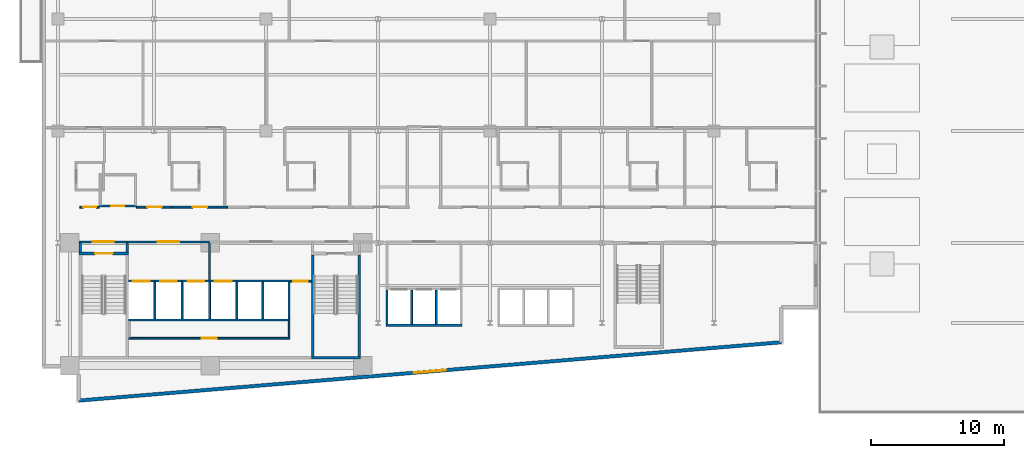
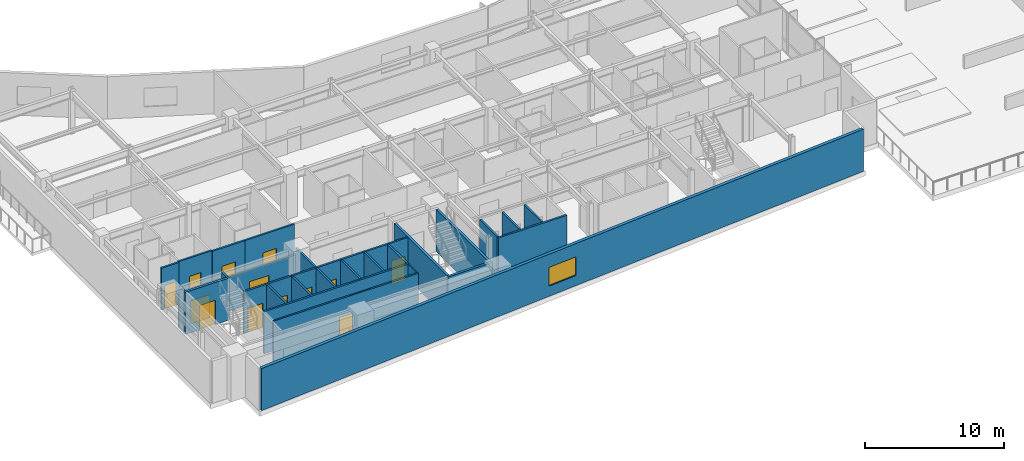
# One storey, part 10 of 20: 34 walls, 13 doors, 1 window, 14 openings.
"""IFC4 building model written with IfcOpenShell, lengths in metres."""

import ifcopenshell
import ifcopenshell.guid

model = None  # the IFC model being written
_history = None  # IfcOwnerHistory: only IFC2X3 demands one
_inside = {}  # id of a spatial element -> (the spatial element, [elements in it])
_under = {}  # id of a project, library or spatial element -> (it, [spatial elements below it])
_declared = {}  # id of a project -> (the project, [libraries it declares])
_typed = {}  # id of a type object -> (the type object, [elements of that type])
_made_of = {}  # id of a material, layer set ... -> (it, [elements and type objects made of it])


def new_model(schema):
    """Start an empty IFC model of exactly this schema.

    Asked for "IFC4X3", IfcOpenShell would pick the latest addendum, in which some entities
    have other attributes; the version numbers below select the first issue.
    IFC2X3 requires an IfcOwnerHistory on every rooted entity: one is made here for all.
    """
    global model, _history
    if schema == "IFC4X3":
        model = ifcopenshell.file(schema_version=(4, 3, 0, 0))
    else:
        model = ifcopenshell.file(schema=schema)
    _inside.clear()
    _under.clear()
    _declared.clear()
    _typed.clear()
    _made_of.clear()
    _history = None
    if model.schema == "IFC2X3":
        org = make("IfcOrganization", Name="unknown")
        user = make(
            "IfcPersonAndOrganization",
            ThePerson=make("IfcPerson", FamilyName="unknown"),
            TheOrganization=org,
        )
        app = make(
            "IfcApplication",
            ApplicationDeveloper=org,
            Version="unknown",
            ApplicationFullName="unknown",
            ApplicationIdentifier="unknown",
        )
        _history = make(
            "IfcOwnerHistory",
            OwningUser=user,
            OwningApplication=app,
            ChangeAction="ADDED",
            CreationDate=0,
        )
    return model


def make(cls, **values):
    """One entity of the class cls with the attributes given. An attribute that is None is left unset."""
    return model.create_entity(
        cls, **{name: value for name, value in values.items() if value is not None}
    )


def rooted(cls, **values):
    """An entity with a GlobalId (a new one), such as an element, a storey or a relation."""
    return make(cls, GlobalId=ifcopenshell.guid.new(), OwnerHistory=_history, **values)


def si_unit(unit_type, name, prefix=None):
    """IfcSIUnit, for example si_unit("LENGTHUNIT", "METRE", prefix="MILLI")."""
    return make("IfcSIUnit", UnitType=unit_type, Prefix=prefix, Name=name)


def assignment(units):
    """IfcUnitAssignment: the units of a project."""
    return None if units is None else make("IfcUnitAssignment", Units=units)


def point(xyz):
    """IfcCartesianPoint."""
    return None if xyz is None else make("IfcCartesianPoint", Coordinates=xyz)


def direction(xyz):
    """IfcDirection."""
    return None if xyz is None else make("IfcDirection", DirectionRatios=xyz)


def frame(location, z_axis=None, x_axis=None):
    """IfcAxis2Placement3D, a coordinate frame: its origin and axes. An axis left out is left unset."""
    return make(
        "IfcAxis2Placement3D",
        Location=point(location),
        Axis=direction(z_axis),
        RefDirection=direction(x_axis),
    )


def frame_2d(location, x_axis=None):
    """IfcAxis2Placement2D, a coordinate frame in the plane: its origin and x axis."""
    return make(
        "IfcAxis2Placement2D", Location=point(location), RefDirection=direction(x_axis)
    )


def origin():
    """The frame at (0, 0, 0) with its axes left unset."""
    return frame((0.0, 0.0, 0.0))


def place(relative_to, where):
    """IfcLocalPlacement: puts the frame where relative to a parent placement (None: the world)."""
    return make(
        "IfcLocalPlacement", PlacementRelTo=relative_to, RelativePlacement=where
    )


def context(
    kind, dimensions, precision=None, world=None, true_north=None, identifier=None
):
    """IfcGeometricRepresentationContext, for example the 3D "Model" context."""
    return make(
        "IfcGeometricRepresentationContext",
        ContextIdentifier=identifier,
        ContextType=kind,
        CoordinateSpaceDimension=dimensions,
        Precision=precision,
        WorldCoordinateSystem=world,
        TrueNorth=true_north,
    )


def subcontext(parent, identifier, kind, view, scale=None):
    """IfcGeometricRepresentationSubContext, for example "Body" below "Model"."""
    return make(
        "IfcGeometricRepresentationSubContext",
        ContextIdentifier=identifier,
        ContextType=kind,
        ParentContext=parent,
        TargetScale=scale,
        TargetView=view,
    )


def project(units=None, contexts=None):
    """IfcProject with its units and contexts."""
    return rooted(
        "IfcProject",
        Name="project",
        RepresentationContexts=contexts,
        UnitsInContext=assignment(units),
    )


def spatial(cls, under=None, at=None, **own):
    """A site, building, storey or space (cls), placed at a placement, below another one or the project."""
    s = rooted(cls, ObjectPlacement=at, **own)
    if under is not None:
        _under.setdefault(under.id(), (under, []))[1].append(s)
    return s


def profile(cls, at=None, kind="AREA", **sizes):
    """A parametric profile (cls). Its sizes go by their IFC names, for example OverallWidth=200.0."""
    return make(cls, ProfileType=kind, Position=at, **sizes)


def rectangle(**sizes):
    """IfcRectangleProfileDef."""
    return profile("IfcRectangleProfileDef", **sizes)


def extrude(swept, where, along, depth):
    """IfcExtrudedAreaSolid: the profile swept, set in the frame where, extruded along a direction by depth."""
    return make(
        "IfcExtrudedAreaSolid",
        SweptArea=swept,
        Position=where,
        ExtrudedDirection=direction(along),
        Depth=depth,
    )


def shape(context_of_items, identifier, shape_type, items):
    """IfcShapeRepresentation: the items that make up one representation, for example the "Body"."""
    return make(
        "IfcShapeRepresentation",
        ContextOfItems=context_of_items,
        RepresentationIdentifier=identifier,
        RepresentationType=shape_type,
        Items=items,
    )


def material(Name=None, Category=None):
    """IfcMaterial."""
    return make("IfcMaterial", Name=Name, Category=Category)


def layer(
    of_material, thickness, ventilated=None, Name=None, Category=None, Priority=None
):
    """IfcMaterialLayer: one layer of a wall or slab, of a material (None: an air gap)."""
    return make(
        "IfcMaterialLayer",
        Material=of_material,
        LayerThickness=thickness,
        IsVentilated=ventilated,
        Name=Name,
        Category=Category,
        Priority=Priority,
    )


def layer_set(layers, Name=None):
    """IfcMaterialLayerSet."""
    return make("IfcMaterialLayerSet", MaterialLayers=layers, LayerSetName=Name)


def made_of(thing, what):
    """Note that an element or type object is made of a material, layer set ...; save() writes the relation."""
    if what is not None:
        _made_of.setdefault(what.id(), (what, []))[1].append(thing)
    return thing


def type_object(cls, material=None, **own):
    """A type object (cls), such as IfcWallType, which elements share."""
    return made_of(rooted(cls, **own), material)


def element(
    cls,
    number,
    at=None,
    inside=None,
    cuts=None,
    type_object=None,
    material=None,
    context=None,
    identifier="Body",
    shape_type=None,
    held_by="IfcProductDefinitionShape",
    body=None,
    shapes=None,
    **own,
):
    """One element of the class cls, such as IfcWall. Its Tag is "e" and its number.

    at: its placement. inside: the storey or other place that contains it. cuts: it is an
    opening in that element (IfcRelVoidsElement). A single representation is given by context,
    identifier, shape_type and body (its items); several are given by shapes. held_by: the class
    of the entity that holds the representations. save() writes the other relations.
    """
    e = rooted(cls, Tag="e%d" % number, ObjectPlacement=at, **own)
    if body is not None:
        shapes = [shape(context, identifier, shape_type, body)]
    if shapes is not None:
        e.Representation = make(held_by, Representations=shapes)
    if inside is not None:
        _inside.setdefault(inside.id(), (inside, []))[1].append(e)
    if cuts is not None:
        rooted(
            "IfcRelVoidsElement", RelatingBuildingElement=cuts, RelatedOpeningElement=e
        )
    if type_object is not None:
        _typed.setdefault(type_object.id(), (type_object, []))[1].append(e)
    return made_of(e, material)


def fill(opening, filler):
    """IfcRelFillsElement: the door or window that sits in an opening."""
    return rooted(
        "IfcRelFillsElement",
        RelatingOpeningElement=opening,
        RelatedBuildingElement=filler,
    )


def aggregate(whole, parts):
    """IfcRelAggregates: a whole, such as a stair, and the parts it consists of."""
    return rooted("IfcRelAggregates", RelatingObject=whole, RelatedObjects=parts)


def save(model, path):
    """Write the relations noted so far, then the file.

    IfcRelAggregates (storeys below a building ...), IfcRelContainedInSpatialStructure (elements
    in a storey), IfcRelDefinesByType, IfcRelAssociatesMaterial and IfcRelDeclares: one each for
    every whole, place, type object, material and project.
    """
    for whole, parts in _under.values():
        aggregate(whole, parts)
    for where, things in _inside.values():
        rooted(
            "IfcRelContainedInSpatialStructure",
            RelatedElements=things,
            RelatingStructure=where,
        )
    for kind, things in _typed.values():
        rooted("IfcRelDefinesByType", RelatedObjects=things, RelatingType=kind)
    for what, things in _made_of.values():
        rooted("IfcRelAssociatesMaterial", RelatedObjects=things, RelatingMaterial=what)
    for by, libraries in _declared.values():
        rooted("IfcRelDeclares", RelatingContext=by, RelatedDefinitions=libraries)
    model.write(path)


model = new_model("IFC4")

# Units and contexts
model_context = context("Model", 3, precision=1e-05, world=origin(), true_north=direction((0.0, 1.0)))
body_context = subcontext(model_context, "Body", "Model", "MODEL_VIEW")
ifc_project = project(units=[si_unit("LENGTHUNIT", "METRE"), si_unit("AREAUNIT", "SQUARE_METRE"), si_unit("VOLUMEUNIT", "CUBIC_METRE"), si_unit("PLANEANGLEUNIT", "RADIAN"), si_unit("MASSUNIT", "GRAM", prefix="KILO")], contexts=[model_context])

# Site, building, storey
site_placement = place(None, origin())
site = spatial("IfcSite", under=ifc_project, at=site_placement, CompositionType="ELEMENT")
building_placement = place(site_placement, origin())
building = spatial("IfcBuilding", under=site, at=building_placement, Name="Varnakote Quay Hospital", CompositionType="ELEMENT")
storey_placement = place(building_placement, frame((0.0, 0.0, 22.5)))
storey = spatial("IfcBuildingStorey", under=building, at=storey_placement, Name="L05", CompositionType="ELEMENT", Elevation=22.5)

# Wall
ifc_material_1 = material(Name="Fire-rated acoustic gypsum stud wall", Category="gypsum")
ifc_layer_1 = layer(ifc_material_1, 0.159912109375)
ifc_layer_set_1 = layer_set([ifc_layer_1], Name="Fire-rated acoustic gypsum stud wall")
wall_type_1 = type_object("IfcWallType", Name="WL-COMP-160", PredefinedType="PARTITIONING", material=ifc_layer_set_1)
wall_1_placement = place(storey_placement, frame((2.8798828125, 11.300048828125, 0.0), z_axis=(0.0, 0.0, 1.0), x_axis=(0.0, 1.0, 0.0)))
element("IfcWall", 1, at=wall_1_placement, inside=storey, type_object=wall_type_1, Name="L05 West Stair Vestibule West Wall", PredefinedType="PARTITIONING", context=body_context, shape_type="SweptSolid", body=[
    extrude(rectangle(XDim=0.699951171875, YDim=0.159912109375, at=frame_2d((0.35009765625, 0.0))), origin(), (0.0, 0.0, 1.0), 3.7099609375),
])

# Wall, opening, door
wall_2_placement = place(storey_placement, frame((2.800048828125, 12.080078125, 0.0), z_axis=(0.0, 0.0, 1.0), x_axis=(1.0, 0.0, 0.0)))
wall_2 = element("IfcWall", 2, at=wall_2_placement, inside=storey, type_object=wall_type_1, Name="L05 West Stair Vestibule Smoke Wall", PredefinedType="PARTITIONING", context=body_context, shape_type="SweptSolid", body=[
    extrude(rectangle(XDim=3.599853515625, YDim=0.159912109375, at=frame_2d((1.7998046875, 0.0))), origin(), (0.0, 0.0, 1.0), 3.072998046875),
])
opening_1_placement = place(wall_2_placement, frame((1.0, 0.0, 0.0)))
opening_1 = element("IfcOpeningElement", 3, at=opening_1_placement, cuts=wall_2, Name="Opening D-ST1L-L05", PredefinedType="OPENING", context=body_context, shape_type="SweptSolid", body=[
    extrude(rectangle(XDim=1.60009765625, YDim=2.050048828125, at=frame_2d((0.800048828125, 1.02490234375))), frame((0.0, 0.08984375, 0.0), z_axis=(0.0, -1.0, 0.0), x_axis=(1.0, 0.0, 0.0)), (0.0, 0.0, 1.0), 0.179931640625),
])
ifc_material_2 = material(Name="Fire-rated double smoke lobby door")
door_type_1 = type_object("IfcDoorType", Name="DR-LOBBY-FD60S-1600x2150", OperationType="NOTDEFINED", PredefinedType="DOOR", material=ifc_material_2)
door_1_placement = place(opening_1_placement, origin())
door_1 = element("IfcDoor", 4, at=door_1_placement, inside=storey, type_object=door_type_1, Name="L05 West Stair Vestibule Smoke Door", OperationType="DOUBLE_DOOR_SINGLE_SWING", OverallHeight=2.050048828125, OverallWidth=1.60009765625, PredefinedType="DOOR", context=body_context, shape_type="SweptSolid", body=[
    extrude(rectangle(XDim=1.60009765625, YDim=2.050048828125, at=frame_2d((0.800048828125, 1.02490234375))), frame((0.0, 0.02490234375, 0.0), z_axis=(0.0, -1.0, 0.0), x_axis=(1.0, 0.0, 0.0)), (0.0, 0.0, 1.0), 0.050048828125),
])
fill(opening_1, door_1)

# Wall
wall_3_placement = place(storey_placement, frame((6.39990234375, 11.300048828125, 0.0), z_axis=(0.0, 0.0, 1.0), x_axis=(0.0, 1.0, 0.0)))
element("IfcWall", 5, at=wall_3_placement, inside=storey, type_object=wall_type_1, Name="L05 Firefighting Lobby West Wall", PredefinedType="PARTITIONING", context=body_context, shape_type="SweptSolid", body=[
    extrude(rectangle(XDim=0.699951171875, YDim=0.159912109375, at=frame_2d((0.35009765625, 0.0))), origin(), (0.0, 0.0, 1.0), 3.7099609375),
])

# Wall, opening, door
wall_4_placement = place(storey_placement, frame((6.39990234375, 12.080078125, 0.0), z_axis=(0.0, 0.0, 1.0), x_axis=(1.0, 0.0, 0.0)))
wall_4 = element("IfcWall", 6, at=wall_4_placement, inside=storey, type_object=wall_type_1, Name="L05 Firefighting Lift Lobby Compartment Wall", PredefinedType="PARTITIONING", context=body_context, shape_type="SweptSolid", body=[
    extrude(rectangle(XDim=6.18017578125, YDim=0.159912109375, at=frame_2d((3.090087890625, 0.0))), origin(), (0.0, 0.0, 1.0), 3.072998046875),
])
opening_2_placement = place(wall_4_placement, frame((2.2900390625, 0.0, 0.0)))
opening_2 = element("IfcOpeningElement", 7, at=opening_2_placement, cuts=wall_4, Name="Opening D-FFL-L05", PredefinedType="OPENING", context=body_context, shape_type="SweptSolid", body=[
    extrude(rectangle(XDim=1.60009765625, YDim=2.050048828125, at=frame_2d((0.800048828125, 1.02490234375))), frame((0.0, 0.08984375, 0.0), z_axis=(0.0, -1.0, 0.0), x_axis=(1.0, 0.0, 0.0)), (0.0, 0.0, 1.0), 0.179931640625),
])
door_2_placement = place(opening_2_placement, origin())
door_2 = element("IfcDoor", 8, at=door_2_placement, inside=storey, type_object=door_type_1, Name="L05 Firefighting Smoke Vestibule Door", OperationType="DOUBLE_DOOR_SINGLE_SWING", OverallHeight=2.050048828125, OverallWidth=1.60009765625, PredefinedType="DOOR", context=body_context, shape_type="SweptSolid", body=[
    extrude(rectangle(XDim=1.60009765625, YDim=2.050048828125, at=frame_2d((0.800048828125, 1.02490234375))), frame((0.0, 0.02490234375, 0.0), z_axis=(0.0, -1.0, 0.0), x_axis=(1.0, 0.0, 0.0)), (0.0, 0.0, 1.0), 0.050048828125),
])
fill(opening_2, door_2)

# Wall
wall_5_placement = place(storey_placement, frame((12.580078125, 9.2099609375, 0.0), z_axis=(0.0, 0.0, 1.0), x_axis=(0.0, 1.0, 0.0)))
element("IfcWall", 9, at=wall_5_placement, inside=storey, type_object=wall_type_1, Name="L05 Firefighting to Service Lobby Wall", PredefinedType="PARTITIONING", context=body_context, shape_type="SweptSolid", body=[
    extrude(rectangle(XDim=2.7900390625, YDim=0.159912109375, at=frame_2d((1.39501953125, 0.0))), origin(), (0.0, 0.0, 1.0), 3.7099609375),
])

# Wall, opening, window
ifc_material_3 = material(Name="Precast concrete N50 (f'c 50 MPa)", Category="concrete")
ifc_layer_2 = layer(ifc_material_3, 0.260009765625)
ifc_layer_set_2 = layer_set([ifc_layer_2], Name="Precast concrete N50 (f'c 50 MPa)")
wall_type_2 = type_object("IfcWallType", Name="WL-EXT-BRICK-260", PredefinedType="STANDARD", material=ifc_layer_set_2)
wall_6_placement = place(storey_placement, frame((2.760009765625, 0.173828125, 0.0), z_axis=(0.0, 0.0, 1.0), x_axis=(0.996571478456, 0.082736257641, 0.0)))
wall_6 = element("IfcWall", 10, at=wall_6_placement, inside=storey, type_object=wall_type_2, Name="L05 Brick-Faced Precast Exterior Wall", PredefinedType="STANDARD", context=body_context, shape_type="SweptSolid", body=[
    extrude(rectangle(XDim=52.861083984375, YDim=0.260009765625, at=frame_2d((26.4306640625, 0.0))), origin(), (0.0, 0.0, 1.0), 3.7099609375),
])
opening_3_placement = place(wall_6_placement, frame((25.230712890625, 0.0, 0.89990234375)))
opening_3 = element("IfcOpeningElement", 11, at=opening_3_placement, cuts=wall_6, Name="Opening WN-0030", PredefinedType="OPENING", context=body_context, shape_type="SweptSolid", body=[
    extrude(rectangle(XDim=2.39990234375, YDim=1.64990234375, at=frame_2d((1.199951171875, 0.824951171875))), frame((0.0, 0.139892578125, 0.0), z_axis=(0.0, -1.0, 0.0), x_axis=(1.0, 0.0, 0.0)), (0.0, 0.0, 1.0), 0.280029296875),
])
ifc_material_4 = material(Name="Double-glazed low-E solar glass", Category="glass")
window_type = type_object("IfcWindowType", Name="WIN-CLIN-2400x1650", PartitioningType="SINGLE_PANEL", PredefinedType="WINDOW", material=ifc_material_4)
window_placement = place(opening_3_placement, origin())
window = element("IfcWindow", 12, at=window_placement, inside=storey, type_object=window_type, Name="L05 Solar-Control Clinical Window", OverallHeight=1.64990234375, OverallWidth=2.39990234375, PartitioningType="SINGLE_PANEL", PredefinedType="WINDOW", context=body_context, shape_type="SweptSolid", body=[
    extrude(rectangle(XDim=2.39990234375, YDim=1.64990234375, at=frame_2d((1.199951171875, 0.824951171875))), frame((0.0, 0.030029296875, 0.0), z_axis=(0.0, -1.0, 0.0), x_axis=(1.0, 0.0, 0.0)), (0.0, 0.0, 1.0), 0.06005859375),
])
fill(opening_3, window)

# Walls
ifc_material_5 = material(Name="Concrete N50 (f'c 50 MPa)", Category="concrete")
ifc_layer_3 = layer(ifc_material_5, 0.14990234375)
ifc_layer_set_3 = layer_set([ifc_layer_3], Name="Concrete N50 (f'c 50 MPa)")
wall_type_3 = type_object("IfcWallType", Name="WL-SHAFT-N50-150", PredefinedType="SHEAR", material=ifc_layer_set_3)
for number, where, z_axis, x_axis, name in (
    (13, (8.47509765625, 6.300048828125, 0.0), (0.0, 0.0, 1.0), (0.0, 1.0, 0.0), "L05 LF-FF1 Hoistway Divider Wall"),
    (14, (10.52490234375, 6.300048828125, 0.0), (0.0, 0.0, 1.0), (0.0, 1.0, 0.0), "L05 LF-FF2 Hoistway Divider Wall"),
    (15, (12.574951171875, 6.300048828125, 0.0), (0.0, 0.0, 1.0), (0.0, 1.0, 0.0), "L05 LF-SV1 Hoistway Divider Wall"),
    (16, (14.625, 6.300048828125, 0.0), (0.0, 0.0, 1.0), (0.0, 1.0, 0.0), "L05 LF-SV2 Hoistway Divider Wall"),
    (17, (16.574951171875, 6.300048828125, 0.0), (0.0, 0.0, 1.0), (0.0, 1.0, 0.0), "L05 LF-PH1 Hoistway Divider Wall"),
):
    element("IfcWall", number, at=place(storey_placement, frame(where, z_axis=z_axis, x_axis=x_axis)), inside=storey, type_object=wall_type_3, Name=name, PredefinedType="SHEAR", context=body_context, shape_type="SweptSolid", body=[
        extrude(rectangle(XDim=2.75, YDim=0.14990234375, at=frame_2d((1.375, 0.0))), origin(), (0.0, 0.0, 1.0), 3.7099609375),
    ])
for number, where, z_axis, x_axis, name in (
    (18, (27.72509765625, 5.89990234375, 0.0), (0.0, 0.0, 1.0), (0.0, 1.0, 0.0), "L05 LF-PL1 Hoistway Divider Wall"),
    (19, (29.574951171875, 5.89990234375, 0.0), (0.0, 0.0, 1.0), (0.0, 1.0, 0.0), "L05 LF-PL2 Hoistway Divider Wall"),
):
    element("IfcWall", number, at=place(storey_placement, frame(where, z_axis=z_axis, x_axis=x_axis)), inside=storey, type_object=wall_type_3, Name=name, PredefinedType="SHEAR", context=body_context, shape_type="SweptSolid", body=[
        extrude(rectangle(XDim=2.550048828125, YDim=0.14990234375, at=frame_2d((1.27490234375, 0.0))), origin(), (0.0, 0.0, 1.0), 3.7099609375),
    ])
ifc_material_6 = material(Name="Concrete N50 (f'c 50 MPa)", Category="concrete")
ifc_layer_4 = layer(ifc_material_6, 0.159912109375)
ifc_layer_set_4 = layer_set([ifc_layer_4], Name="Concrete N50 (f'c 50 MPa)")
wall_type_4 = type_object("IfcWallType", Name="WL-SHAFT-N50-160", PredefinedType="SHEAR", material=ifc_layer_set_4)
wall_7_placement = place(storey_placement, frame((6.5, 6.219970703125, 0.0), z_axis=(0.0, 0.0, 1.0), x_axis=(1.0, 0.0, 0.0)))
element("IfcWall", 20, at=wall_7_placement, inside=storey, type_object=wall_type_4, Name="L05 REAR Lift Bank Back Shear Wall", PredefinedType="SHEAR", context=body_context, shape_type="SweptSolid", body=[
    extrude(rectangle(XDim=12.110107421875, YDim=0.159912109375, at=frame_2d((6.05517578125, 0.0))), origin(), (0.0, 0.0, 1.0), 3.7099609375),
])
wall_8_placement = place(storey_placement, frame((18.530029296875, 6.300048828125, 0.0), z_axis=(0.0, 0.0, 1.0), x_axis=(0.0, 1.0, 0.0)))
element("IfcWall", 21, at=wall_8_placement, inside=storey, type_object=wall_type_4, Name="L05 REAR Lift Bank East Shear Wall", PredefinedType="SHEAR", context=body_context, shape_type="SweptSolid", body=[
    extrude(rectangle(XDim=2.75, YDim=0.159912109375, at=frame_2d((1.375, 0.0))), origin(), (0.0, 0.0, 1.0), 3.7099609375),
])

# Wall, opening, door
wall_9_placement = place(storey_placement, frame((6.5, 9.1298828125, 0.0), z_axis=(0.0, 0.0, 1.0), x_axis=(1.0, 0.0, 0.0)))
wall_9 = element("IfcWall", 22, at=wall_9_placement, inside=storey, type_object=wall_type_4, Name="L05 LF-FF1 Hoistway Front Wall", PredefinedType="SHEAR", context=body_context, shape_type="SweptSolid", body=[
    extrude(rectangle(XDim=1.97509765625, YDim=0.159912109375, at=frame_2d((0.987548828125, 0.0))), origin(), (0.0, 0.0, 1.0), 3.7099609375),
])
opening_4_placement = place(wall_9_placement, frame((0.324951171875, 0.0, 0.0)))
opening_4 = element("IfcOpeningElement", 23, at=opening_4_placement, cuts=wall_9, Name="Opening LD-FF1-L05", PredefinedType="OPENING", context=body_context, shape_type="SweptSolid", body=[
    extrude(rectangle(XDim=1.25, YDim=2.14990234375, at=frame_2d((0.625, 1.074951171875))), frame((0.0, 0.08984375, 0.0), z_axis=(0.0, -1.0, 0.0), x_axis=(1.0, 0.0, 0.0)), (0.0, 0.0, 1.0), 0.179931640625),
])
ifc_material_7 = material(Name="Stainless steel lift landing sliding door", Category="steel")
door_type_2 = type_object("IfcDoorType", Name="DR-LIFT-LD-1250x2150", OperationType="NOTDEFINED", PredefinedType="DOOR", material=ifc_material_7)
door_3_placement = place(opening_4_placement, origin())
door_3 = element("IfcDoor", 24, at=door_3_placement, inside=storey, type_object=door_type_2, Name="L05 LF-FF1 Lift Landing Sliding Door", OperationType="SLIDING_TO_LEFT", OverallHeight=2.14990234375, OverallWidth=1.25, PredefinedType="DOOR", context=body_context, shape_type="SweptSolid", body=[
    extrude(rectangle(XDim=1.25, YDim=2.14990234375, at=frame_2d((0.625, 1.074951171875))), frame((0.0, 0.02490234375, 0.0), z_axis=(0.0, -1.0, 0.0), x_axis=(1.0, 0.0, 0.0)), (0.0, 0.0, 1.0), 0.050048828125),
])
fill(opening_4, door_3)

wall_10_placement = place(storey_placement, frame((8.47509765625, 9.1298828125, 0.0), z_axis=(0.0, 0.0, 1.0), x_axis=(1.0, 0.0, 0.0)))
wall_10 = element("IfcWall", 25, at=wall_10_placement, inside=storey, type_object=wall_type_4, Name="L05 LF-FF2 Hoistway Front Wall", PredefinedType="SHEAR", context=body_context, shape_type="SweptSolid", body=[
    extrude(rectangle(XDim=2.0498046875, YDim=0.159912109375, at=frame_2d((1.02490234375, 0.0))), origin(), (0.0, 0.0, 1.0), 3.7099609375),
])
opening_5_placement = place(wall_10_placement, frame((0.39990234375, 0.0, 0.0)))
opening_5 = element("IfcOpeningElement", 26, at=opening_5_placement, cuts=wall_10, Name="Opening LD-FF2-L05", PredefinedType="OPENING", context=body_context, shape_type="SweptSolid", body=[
    extrude(rectangle(XDim=1.25, YDim=2.14990234375, at=frame_2d((0.625, 1.074951171875))), frame((0.0, 0.08984375, 0.0), z_axis=(0.0, -1.0, 0.0), x_axis=(1.0, 0.0, 0.0)), (0.0, 0.0, 1.0), 0.179931640625),
])
door_4_placement = place(opening_5_placement, origin())
door_4 = element("IfcDoor", 27, at=door_4_placement, inside=storey, type_object=door_type_2, Name="L05 LF-FF2 Lift Landing Sliding Door", OperationType="SLIDING_TO_LEFT", OverallHeight=2.14990234375, OverallWidth=1.25, PredefinedType="DOOR", context=body_context, shape_type="SweptSolid", body=[
    extrude(rectangle(XDim=1.25, YDim=2.14990234375, at=frame_2d((0.625, 1.074951171875))), frame((0.0, 0.02490234375, 0.0), z_axis=(0.0, -1.0, 0.0), x_axis=(1.0, 0.0, 0.0)), (0.0, 0.0, 1.0), 0.050048828125),
])
fill(opening_5, door_4)

wall_11_placement = place(storey_placement, frame((10.52490234375, 9.1298828125, 0.0), z_axis=(0.0, 0.0, 1.0), x_axis=(1.0, 0.0, 0.0)))
wall_11 = element("IfcWall", 28, at=wall_11_placement, inside=storey, type_object=wall_type_4, Name="L05 LF-SV1 Hoistway Front Wall", PredefinedType="SHEAR", context=body_context, shape_type="SweptSolid", body=[
    extrude(rectangle(XDim=2.050048828125, YDim=0.159912109375, at=frame_2d((1.02490234375, 0.0))), origin(), (0.0, 0.0, 1.0), 3.7099609375),
])
opening_6_placement = place(wall_11_placement, frame((0.39990234375, 0.0, 0.0)))
opening_6 = element("IfcOpeningElement", 29, at=opening_6_placement, cuts=wall_11, Name="Opening LD-SV1-L05", PredefinedType="OPENING", context=body_context, shape_type="SweptSolid", body=[
    extrude(rectangle(XDim=1.25, YDim=2.14990234375, at=frame_2d((0.625, 1.074951171875))), frame((0.0, 0.08984375, 0.0), z_axis=(0.0, -1.0, 0.0), x_axis=(1.0, 0.0, 0.0)), (0.0, 0.0, 1.0), 0.179931640625),
])
door_5_placement = place(opening_6_placement, origin())
door_5 = element("IfcDoor", 30, at=door_5_placement, inside=storey, type_object=door_type_2, Name="L05 LF-SV1 Lift Landing Sliding Door", OperationType="SLIDING_TO_LEFT", OverallHeight=2.14990234375, OverallWidth=1.25, PredefinedType="DOOR", context=body_context, shape_type="SweptSolid", body=[
    extrude(rectangle(XDim=1.25, YDim=2.14990234375, at=frame_2d((0.625, 1.074951171875))), frame((0.0, 0.02490234375, 0.0), z_axis=(0.0, -1.0, 0.0), x_axis=(1.0, 0.0, 0.0)), (0.0, 0.0, 1.0), 0.050048828125),
])
fill(opening_6, door_5)

wall_12_placement = place(storey_placement, frame((12.574951171875, 9.1298828125, 0.0), z_axis=(0.0, 0.0, 1.0), x_axis=(1.0, 0.0, 0.0)))
wall_12 = element("IfcWall", 31, at=wall_12_placement, inside=storey, type_object=wall_type_4, Name="L05 LF-SV2 Hoistway Front Wall", PredefinedType="SHEAR", context=body_context, shape_type="SweptSolid", body=[
    extrude(rectangle(XDim=2.050048828125, YDim=0.159912109375, at=frame_2d((1.02490234375, 0.0))), origin(), (0.0, 0.0, 1.0), 3.7099609375),
])
opening_7_placement = place(wall_12_placement, frame((0.39990234375, 0.0, 0.0)))
opening_7 = element("IfcOpeningElement", 32, at=opening_7_placement, cuts=wall_12, Name="Opening LD-SV2-L05", PredefinedType="OPENING", context=body_context, shape_type="SweptSolid", body=[
    extrude(rectangle(XDim=1.25, YDim=2.14990234375, at=frame_2d((0.625, 1.074951171875))), frame((0.0, 0.08984375, 0.0), z_axis=(0.0, -1.0, 0.0), x_axis=(1.0, 0.0, 0.0)), (0.0, 0.0, 1.0), 0.179931640625),
])
door_6_placement = place(opening_7_placement, origin())
door_6 = element("IfcDoor", 33, at=door_6_placement, inside=storey, type_object=door_type_2, Name="L05 LF-SV2 Lift Landing Sliding Door", OperationType="SLIDING_TO_LEFT", OverallHeight=2.14990234375, OverallWidth=1.25, PredefinedType="DOOR", context=body_context, shape_type="SweptSolid", body=[
    extrude(rectangle(XDim=1.25, YDim=2.14990234375, at=frame_2d((0.625, 1.074951171875))), frame((0.0, 0.02490234375, 0.0), z_axis=(0.0, -1.0, 0.0), x_axis=(1.0, 0.0, 0.0)), (0.0, 0.0, 1.0), 0.050048828125),
])
fill(opening_7, door_6)

# Walls
wall_13_placement = place(storey_placement, frame((14.625, 9.1298828125, 0.0), z_axis=(0.0, 0.0, 1.0), x_axis=(1.0, 0.0, 0.0)))
element("IfcWall", 34, at=wall_13_placement, inside=storey, type_object=wall_type_4, Name="L05 LF-PH1 Hoistway Front Wall", PredefinedType="SHEAR", context=body_context, shape_type="SweptSolid", body=[
    extrude(rectangle(XDim=1.949951171875, YDim=0.159912109375, at=frame_2d((0.97509765625, 0.0))), origin(), (0.0, 0.0, 1.0), 3.7099609375),
])
wall_14_placement = place(storey_placement, frame((16.574951171875, 9.1298828125, 0.0), z_axis=(0.0, 0.0, 1.0), x_axis=(1.0, 0.0, 0.0)))
element("IfcWall", 35, at=wall_14_placement, inside=storey, type_object=wall_type_4, Name="L05 LF-PH2 Hoistway Front Wall", PredefinedType="SHEAR", context=body_context, shape_type="SweptSolid", body=[
    extrude(rectangle(XDim=2.03515625, YDim=0.159912109375, at=frame_2d((1.017578125, 0.0))), origin(), (0.0, 0.0, 1.0), 3.7099609375),
])
wall_15_placement = place(storey_placement, frame((25.7900390625, 5.820068359375, 0.0), z_axis=(0.0, 0.0, 1.0), x_axis=(1.0, 0.0, 0.0)))
element("IfcWall", 36, at=wall_15_placement, inside=storey, type_object=wall_type_4, Name="L05 LOW Lift Bank Back Shear Wall", PredefinedType="SHEAR", context=body_context, shape_type="SweptSolid", body=[
    extrude(rectangle(XDim=5.719970703125, YDim=0.159912109375, at=frame_2d((2.85986328125, 0.0))), origin(), (0.0, 0.0, 1.0), 3.7099609375),
])
wall_16_placement = place(storey_placement, frame((25.8701171875, 5.89990234375, 0.0), z_axis=(0.0, 0.0, 1.0), x_axis=(0.0, 1.0, 0.0)))
element("IfcWall", 37, at=wall_16_placement, inside=storey, type_object=wall_type_4, Name="L05 LOW Lift Bank West Shear Wall", PredefinedType="SHEAR", context=body_context, shape_type="SweptSolid", body=[
    extrude(rectangle(XDim=2.550048828125, YDim=0.159912109375, at=frame_2d((1.27490234375, 0.0))), origin(), (0.0, 0.0, 1.0), 3.7099609375),
])

# Wall, opening, door
ifc_material_8 = material(Name="Concrete N50 (f'c 50 MPa)", Category="concrete")
ifc_layer_5 = layer(ifc_material_8, 0.199951171875)
ifc_layer_set_5 = layer_set([ifc_layer_5], Name="Concrete N50 (f'c 50 MPa)")
wall_type_5 = type_object("IfcWallType", Name="WL-SHAFT-N50-200", PredefinedType="SHEAR", material=ifc_layer_set_5)
wall_17_placement = place(storey_placement, frame((2.800048828125, 11.199951171875, 0.0), z_axis=(0.0, 0.0, 1.0), x_axis=(1.0, 0.0, 0.0)))
wall_17 = element("IfcWall", 38, at=wall_17_placement, inside=storey, type_object=wall_type_5, Name="L05 Stair ST1 Exit Wall", PredefinedType="SHEAR", context=body_context, shape_type="SweptSolid", body=[
    extrude(rectangle(XDim=3.699951171875, YDim=0.199951171875, at=frame_2d((1.85009765625, 0.0))), origin(), (0.0, 0.0, 1.0), 3.7099609375),
])
opening_8_placement = place(wall_17_placement, frame((1.199951171875, 0.0, 0.0)))
opening_8 = element("IfcOpeningElement", 39, at=opening_8_placement, cuts=wall_17, Name="Opening D-ST1-L05", PredefinedType="OPENING", context=body_context, shape_type="SweptSolid", body=[
    extrude(rectangle(XDim=1.300048828125, YDim=2.14990234375, at=frame_2d((0.64990234375, 1.074951171875))), frame((0.0, 0.10986328125, 0.0), z_axis=(0.0, -1.0, 0.0), x_axis=(1.0, 0.0, 0.0)), (0.0, 0.0, 1.0), 0.219970703125),
])
ifc_material_9 = material(Name="Fire-rated ceramic-glazed timber exit door", Category="wood")
door_type_3 = type_object("IfcDoorType", Name="DR-STAIR-FD60S-1300x2150", OperationType="NOTDEFINED", PredefinedType="DOOR", material=ifc_material_9)
door_7_placement = place(opening_8_placement, origin())
door_7 = element("IfcDoor", 40, at=door_7_placement, inside=storey, type_object=door_type_3, Name="L05 Stair ST1 Fire Exit Door", OperationType="SINGLE_SWING_LEFT", OverallHeight=2.14990234375, OverallWidth=1.300048828125, PredefinedType="DOOR", context=body_context, shape_type="SweptSolid", body=[
    extrude(rectangle(XDim=1.300048828125, YDim=2.14990234375, at=frame_2d((0.64990234375, 1.074951171875))), frame((0.0, 0.02490234375, 0.0), z_axis=(0.0, -1.0, 0.0), x_axis=(1.0, 0.0, 0.0)), (0.0, 0.0, 1.0), 0.050048828125),
])
fill(opening_8, door_7)

# Walls
wall_18_placement = place(storey_placement, frame((20.199951171875, 3.39990234375, 0.0), z_axis=(0.0, 0.0, 1.0), x_axis=(1.0, 0.0, 0.0)))
element("IfcWall", 41, at=wall_18_placement, inside=storey, type_object=wall_type_5, Name="L05 Stair ST2 South Shaft Wall", PredefinedType="SHEAR", context=body_context, shape_type="SweptSolid", body=[
    extrude(rectangle(XDim=3.699951171875, YDim=0.199951171875, at=frame_2d((1.85009765625, 0.0))), origin(), (0.0, 0.0, 1.0), 3.7099609375),
])
for number, where, z_axis, x_axis, name in (
    (42, (20.300048828125, 3.5, 0.0), (0.0, 0.0, 1.0), (0.0, 1.0, 0.0), "L05 Stair ST2 West Shaft Wall"),
    (43, (23.800048828125, 3.5, 0.0), (0.0, 0.0, 1.0), (0.0, 1.0, 0.0), "L05 Stair ST2 East Shaft Wall"),
):
    element("IfcWall", number, at=place(storey_placement, frame(where, z_axis=z_axis, x_axis=x_axis)), inside=storey, type_object=wall_type_5, Name=name, PredefinedType="SHEAR", context=body_context, shape_type="SweptSolid", body=[
        extrude(rectangle(XDim=7.60009765625, YDim=0.199951171875, at=frame_2d((3.800048828125, 0.0))), origin(), (0.0, 0.0, 1.0), 3.7099609375),
    ])
ifc_material_10 = material(Name="Smoke-proof clinical partition", Category="gypsum")
ifc_layer_6 = layer(ifc_material_10, 0.1201171875)
ifc_layer_set_6 = layer_set([ifc_layer_6], Name="Smoke-proof clinical partition")
wall_type_6 = type_object("IfcWallType", Name="WL-SMOKE-120", PredefinedType="PARTITIONING", material=ifc_layer_set_6)
wall_19_placement = place(storey_placement, frame((18.5400390625, 4.919921875, 0.0), z_axis=(0.0, 0.0, 1.0), x_axis=(0.0, 1.0, 0.0)))
element("IfcWall", 44, at=wall_19_placement, inside=storey, type_object=wall_type_6, Name="L05 Core Service Strip East Wall", PredefinedType="PARTITIONING", context=body_context, shape_type="SweptSolid", body=[
    extrude(rectangle(XDim=1.219970703125, YDim=0.1201171875, at=frame_2d((0.60986328125, 0.0))), origin(), (0.0, 0.0, 1.0), 3.7099609375),
])

# Wall, opening, door
ifc_material_11 = material(Name="Fire-rated clinical gypsum partition", Category="gypsum")
ifc_layer_7 = layer(ifc_material_11, 0.139892578125)
ifc_layer_set_7 = layer_set([ifc_layer_7], Name="Fire-rated clinical gypsum partition")
wall_type_7 = type_object("IfcWallType", Name="WL-WARD-140", PredefinedType="PARTITIONING", material=ifc_layer_set_7)
wall_20_placement = place(storey_placement, frame((6.5, 4.85009765625, 0.0), z_axis=(0.0, 0.0, 1.0), x_axis=(1.0, 0.0, 0.0)))
wall_20 = element("IfcWall", 45, at=wall_20_placement, inside=storey, type_object=wall_type_7, Name="L05 Core Clean Linen Store South Wall", PredefinedType="PARTITIONING", context=body_context, shape_type="SweptSolid", body=[
    extrude(rectangle(XDim=12.10009765625, YDim=0.139892578125, at=frame_2d((6.050048828125, 0.0))), origin(), (0.0, 0.0, 1.0), 3.7099609375),
])
opening_9_placement = place(wall_20_placement, frame((5.5, 0.0, 0.0)))
opening_9 = element("IfcOpeningElement", 46, at=opening_9_placement, cuts=wall_20, Name="Opening D-L05-CR01", PredefinedType="OPENING", context=body_context, shape_type="SweptSolid", body=[
    extrude(rectangle(XDim=1.10009765625, YDim=2.10009765625, at=frame_2d((0.550048828125, 1.050048828125))), frame((0.0, 0.079833984375, 0.0), z_axis=(0.0, -1.0, 0.0), x_axis=(1.0, 0.0, 0.0)), (0.0, 0.0, 1.0), 0.159912109375),
])
ifc_material_12 = material(Name="Acoustic timber clinical consult door", Category="wood")
door_type_4 = type_object("IfcDoorType", Name="DR-CLIN-FD30S-1100x2100", OperationType="NOTDEFINED", PredefinedType="DOOR", material=ifc_material_12)
door_8_placement = place(opening_9_placement, origin())
door_8 = element("IfcDoor", 47, at=door_8_placement, inside=storey, type_object=door_type_4, Name="L05 Core Clean Linen Store Door", OperationType="SINGLE_SWING_RIGHT", OverallHeight=2.10009765625, OverallWidth=1.10009765625, PredefinedType="DOOR", context=body_context, shape_type="SweptSolid", body=[
    extrude(rectangle(XDim=1.10009765625, YDim=2.10009765625, at=frame_2d((0.550048828125, 1.050048828125))), frame((0.0, 0.02490234375, 0.0), z_axis=(0.0, -1.0, 0.0), x_axis=(1.0, 0.0, 0.0)), (0.0, 0.0, 1.0), 0.050048828125),
])
fill(opening_9, door_8)

wall_21_placement = place(storey_placement, frame((18.610107421875, 9.1298828125, 0.0), z_axis=(0.0, 0.0, 1.0), x_axis=(1.0, 0.0, 0.0)))
wall_21 = element("IfcWall", 48, at=wall_21_placement, inside=storey, type_object=wall_type_7, Name="L05 Core Service Corridor North Door Wall", PredefinedType="PARTITIONING", context=body_context, shape_type="SweptSolid", body=[
    extrude(rectangle(XDim=1.58984375, YDim=0.139892578125, at=frame_2d((0.794921875, 0.0))), origin(), (0.0, 0.0, 1.0), 3.7099609375),
])
opening_10_placement = place(wall_21_placement, frame((0.239990234375, 0.0, 0.0)))
opening_10 = element("IfcOpeningElement", 49, at=opening_10_placement, cuts=wall_21, Name="Opening D-CSRV-L05", PredefinedType="OPENING", context=body_context, shape_type="SweptSolid", body=[
    extrude(rectangle(XDim=1.10009765625, YDim=2.10009765625, at=frame_2d((0.550048828125, 1.050048828125))), frame((0.0, 0.079833984375, 0.0), z_axis=(0.0, -1.0, 0.0), x_axis=(1.0, 0.0, 0.0)), (0.0, 0.0, 1.0), 0.159912109375),
])
door_9_placement = place(opening_10_placement, origin())
door_9 = element("IfcDoor", 50, at=door_9_placement, inside=storey, type_object=door_type_4, Name="L05 Core Service Corridor Door", OperationType="SINGLE_SWING_LEFT", OverallHeight=2.10009765625, OverallWidth=1.10009765625, PredefinedType="DOOR", context=body_context, shape_type="SweptSolid", body=[
    extrude(rectangle(XDim=1.10009765625, YDim=2.10009765625, at=frame_2d((0.550048828125, 1.050048828125))), frame((0.0, 0.02490234375, 0.0), z_axis=(0.0, -1.0, 0.0), x_axis=(1.0, 0.0, 0.0)), (0.0, 0.0, 1.0), 0.050048828125),
])
fill(opening_10, door_9)

wall_22_placement = place(storey_placement, frame((4.31005859375, 14.77001953125, 0.0), z_axis=(0.0, 0.0, 1.0), x_axis=(1.0, 0.0, 0.0)))
wall_22 = element("IfcWall", 51, at=wall_22_placement, inside=storey, type_object=wall_type_7, Name="L05 Floor Unisex Accessible WC S Wall", PredefinedType="PARTITIONING", context=body_context, shape_type="SweptSolid", body=[
    extrude(rectangle(XDim=2.780029296875, YDim=0.139892578125, at=frame_2d((1.39013671875, 0.0))), origin(), (0.0, 0.0, 1.0), 3.7099609375),
])
opening_11_placement = place(wall_22_placement, frame((0.89990234375, 0.0, 0.0)))
opening_11 = element("IfcOpeningElement", 52, at=opening_11_placement, cuts=wall_22, Name="Opening D-L05-EW01", PredefinedType="OPENING", context=body_context, shape_type="SweptSolid", body=[
    extrude(rectangle(XDim=0.97998046875, YDim=2.10009765625, at=frame_2d((0.489990234375, 1.050048828125))), frame((0.0, 0.079833984375, 0.0), z_axis=(0.0, -1.0, 0.0), x_axis=(1.0, 0.0, 0.0)), (0.0, 0.0, 1.0), 0.159912109375),
])
ifc_material_13 = material(Name="Accessible sanitary compartment door")
door_type_5 = type_object("IfcDoorType", Name="DR-WC-980x2100", OperationType="NOTDEFINED", PredefinedType="DOOR", material=ifc_material_13)
door_10_placement = place(opening_11_placement, origin())
door_10 = element("IfcDoor", 53, at=door_10_placement, inside=storey, type_object=door_type_5, Name="L05 Floor Unisex Accessible WC Door", OperationType="SINGLE_SWING_RIGHT", OverallHeight=2.10009765625, OverallWidth=0.97998046875, PredefinedType="DOOR", context=body_context, shape_type="SweptSolid", body=[
    extrude(rectangle(XDim=0.97998046875, YDim=2.10009765625, at=frame_2d((0.489990234375, 1.050048828125))), frame((0.0, 0.02490234375, 0.0), z_axis=(0.0, -1.0, 0.0), x_axis=(1.0, 0.0, 0.0)), (0.0, 0.0, 1.0), 0.050048828125),
])
fill(opening_11, door_10)

ifc_material_14 = material(Name="Fire-rated clinical gypsum partition", Category="gypsum")
ifc_layer_8 = layer(ifc_material_14, 0.14990234375)
ifc_layer_set_8 = layer_set([ifc_layer_8], Name="Fire-rated clinical gypsum partition")
wall_type_8 = type_object("IfcWallType", Name="WL-WARD-150", PredefinedType="PARTITIONING", material=ifc_layer_set_8)
wall_23_placement = place(storey_placement, frame((4.30810546875, 14.679931640625, 0.0), z_axis=(0.0, 0.0, 1.0), x_axis=(-1.0, 0.0, 0.0)))
wall_23 = element("IfcWall", 54, at=wall_23_placement, inside=storey, type_object=wall_type_8, Name="L05 Clinical Interior Partition", PredefinedType="PARTITIONING", context=body_context, shape_type="SweptSolid", body=[
    extrude(rectangle(XDim=1.4580078125, YDim=0.14990234375, at=frame_2d((0.72900390625, 0.0))), origin(), (0.0, 0.0, 1.0), 3.7099609375),
])
opening_12_placement = place(wall_23_placement, frame((0.239013671875, 0.0, 0.0)))
opening_12 = element("IfcOpeningElement", 55, at=opening_12_placement, cuts=wall_23, Name="Opening D-L05-BR01", PredefinedType="OPENING", context=body_context, shape_type="SweptSolid", body=[
    extrude(rectangle(XDim=0.97998046875, YDim=2.10009765625, at=frame_2d((0.489990234375, 1.050048828125))), frame((0.0, 0.0849609375, 0.0), z_axis=(0.0, -1.0, 0.0), x_axis=(1.0, 0.0, 0.0)), (0.0, 0.0, 1.0), 0.169921875),
])
door_11_placement = place(opening_12_placement, origin())
door_11 = element("IfcDoor", 56, at=door_11_placement, inside=storey, type_object=door_type_5, Name="L05 Inpatient Clinical Treatment Room 01 Door", OperationType="SINGLE_SWING_RIGHT", OverallHeight=2.10009765625, OverallWidth=0.97998046875, PredefinedType="DOOR", context=body_context, shape_type="SweptSolid", body=[
    extrude(rectangle(XDim=0.97998046875, YDim=2.10009765625, at=frame_2d((0.489990234375, 1.050048828125))), frame((0.0, 0.02490234375, 0.0), z_axis=(0.0, -1.0, 0.0), x_axis=(1.0, 0.0, 0.0)), (0.0, 0.0, 1.0), 0.050048828125),
])
fill(opening_12, door_11)

wall_24_placement = place(storey_placement, frame((9.785888671875, 14.679931640625, 0.0), z_axis=(0.0, 0.0, 1.0), x_axis=(-1.0, 0.0, 0.0)))
wall_24 = element("IfcWall", 57, at=wall_24_placement, inside=storey, type_object=wall_type_8, Name="L05 Clinical Interior Partition", PredefinedType="PARTITIONING", context=body_context, shape_type="SweptSolid", body=[
    extrude(rectangle(XDim=2.69384765625, YDim=0.14990234375, at=frame_2d((1.346923828125, 0.0))), origin(), (0.0, 0.0, 1.0), 3.7099609375),
])
opening_13_placement = place(wall_24_placement, frame((0.797119140625, 0.0, 0.0)))
opening_13 = element("IfcOpeningElement", 58, at=opening_13_placement, cuts=wall_24, Name="Opening D-L05-MD01", PredefinedType="OPENING", context=body_context, shape_type="SweptSolid", body=[
    extrude(rectangle(XDim=1.10009765625, YDim=2.10009765625, at=frame_2d((0.550048828125, 1.050048828125))), frame((0.0, 0.0849609375, 0.0), z_axis=(0.0, -1.0, 0.0), x_axis=(1.0, 0.0, 0.0)), (0.0, 0.0, 1.0), 0.169921875),
])
door_12_placement = place(opening_13_placement, origin())
door_12 = element("IfcDoor", 59, at=door_12_placement, inside=storey, type_object=door_type_4, Name="L05 Clinical Diagnostics Seminar Room Door", OperationType="SINGLE_SWING_LEFT", OverallHeight=2.10009765625, OverallWidth=1.10009765625, PredefinedType="DOOR", context=body_context, shape_type="SweptSolid", body=[
    extrude(rectangle(XDim=1.10009765625, YDim=2.10009765625, at=frame_2d((0.550048828125, 1.050048828125))), frame((0.0, 0.02490234375, 0.0), z_axis=(0.0, -1.0, 0.0), x_axis=(1.0, 0.0, 0.0)), (0.0, 0.0, 1.0), 0.050048828125),
])
fill(opening_13, door_12)

wall_25_placement = place(storey_placement, frame((13.93603515625, 14.679931640625, 0.0), z_axis=(0.0, 0.0, 1.0), x_axis=(-1.0, 0.0, 0.0)))
wall_25 = element("IfcWall", 60, at=wall_25_placement, inside=storey, type_object=wall_type_8, Name="L05 Clinical Interior Partition", PredefinedType="PARTITIONING", context=body_context, shape_type="SweptSolid", body=[
    extrude(rectangle(XDim=4.14794921875, YDim=0.14990234375, at=frame_2d((2.073974609375, 0.0))), origin(), (0.0, 0.0, 1.0), 3.7099609375),
])
opening_14_placement = place(wall_25_placement, frame((1.52392578125, 0.0, 0.0)))
opening_14 = element("IfcOpeningElement", 61, at=opening_14_placement, cuts=wall_25, Name="Opening D-L05-BR02", PredefinedType="OPENING", context=body_context, shape_type="SweptSolid", body=[
    extrude(rectangle(XDim=1.10009765625, YDim=2.10009765625, at=frame_2d((0.550048828125, 1.050048828125))), frame((0.0, 0.0849609375, 0.0), z_axis=(0.0, -1.0, 0.0), x_axis=(1.0, 0.0, 0.0)), (0.0, 0.0, 1.0), 0.169921875),
])
door_13_placement = place(opening_14_placement, origin())
door_13 = element("IfcDoor", 62, at=door_13_placement, inside=storey, type_object=door_type_4, Name="L05 Inpatient Clinical Treatment Room 02 Door", OperationType="SINGLE_SWING_RIGHT", OverallHeight=2.10009765625, OverallWidth=1.10009765625, PredefinedType="DOOR", context=body_context, shape_type="SweptSolid", body=[
    extrude(rectangle(XDim=1.10009765625, YDim=2.10009765625, at=frame_2d((0.550048828125, 1.050048828125))), frame((0.0, 0.02490234375, 0.0), z_axis=(0.0, -1.0, 0.0), x_axis=(1.0, 0.0, 0.0)), (0.0, 0.0, 1.0), 0.050048828125),
])
fill(opening_14, door_13)

save(model, "model.ifc")
